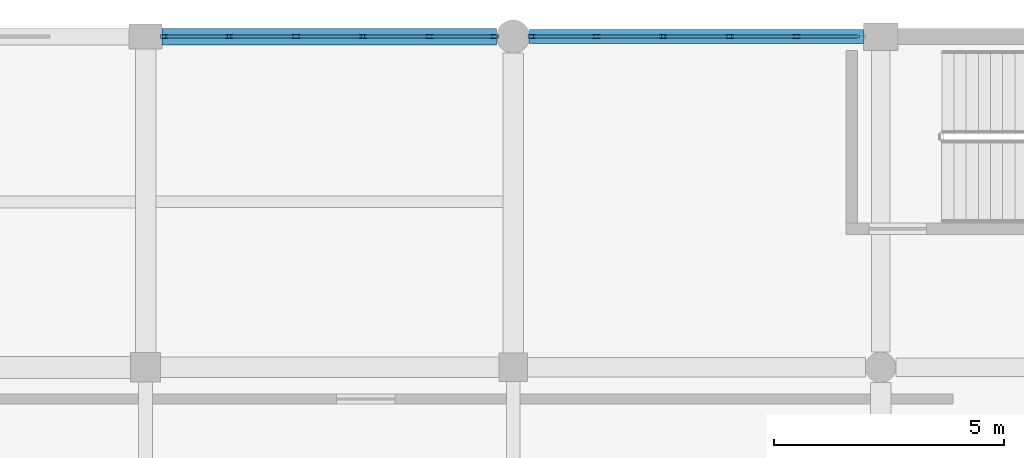
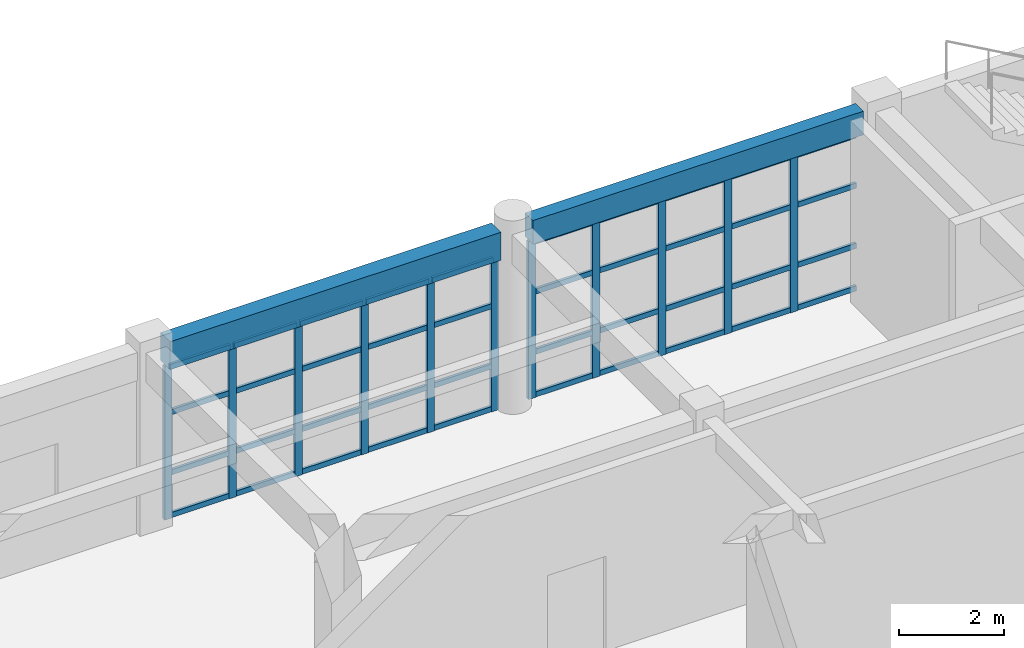
# One storey, part 102 of 160: 51 members, 2 beams, 2 elements without a shape of their own.
"""IFC4 building model written with IfcOpenShell, lengths in metres."""

import ifcopenshell
import ifcopenshell.guid

model = None  # the IFC model being written
_history = None  # IfcOwnerHistory: only IFC2X3 demands one
_inside = {}  # id of a spatial element -> (the spatial element, [elements in it])
_under = {}  # id of a project, library or spatial element -> (it, [spatial elements below it])
_declared = {}  # id of a project -> (the project, [libraries it declares])
_typed = {}  # id of a type object -> (the type object, [elements of that type])
_made_of = {}  # id of a material, layer set ... -> (it, [elements and type objects made of it])


def new_model(schema):
    """Start an empty IFC model of exactly this schema.

    Asked for "IFC4X3", IfcOpenShell would pick the latest addendum, in which some entities
    have other attributes; the version numbers below select the first issue.
    IFC2X3 requires an IfcOwnerHistory on every rooted entity: one is made here for all.
    """
    global model, _history
    if schema == "IFC4X3":
        model = ifcopenshell.file(schema_version=(4, 3, 0, 0))
    else:
        model = ifcopenshell.file(schema=schema)
    _inside.clear()
    _under.clear()
    _declared.clear()
    _typed.clear()
    _made_of.clear()
    _history = None
    if model.schema == "IFC2X3":
        org = make("IfcOrganization", Name="unknown")
        user = make(
            "IfcPersonAndOrganization",
            ThePerson=make("IfcPerson", FamilyName="unknown"),
            TheOrganization=org,
        )
        app = make(
            "IfcApplication",
            ApplicationDeveloper=org,
            Version="unknown",
            ApplicationFullName="unknown",
            ApplicationIdentifier="unknown",
        )
        _history = make(
            "IfcOwnerHistory",
            OwningUser=user,
            OwningApplication=app,
            ChangeAction="ADDED",
            CreationDate=0,
        )
    return model


def make(cls, **values):
    """One entity of the class cls with the attributes given. An attribute that is None is left unset."""
    return model.create_entity(
        cls, **{name: value for name, value in values.items() if value is not None}
    )


def rooted(cls, **values):
    """An entity with a GlobalId (a new one), such as an element, a storey or a relation."""
    return make(cls, GlobalId=ifcopenshell.guid.new(), OwnerHistory=_history, **values)


def si_unit(unit_type, name, prefix=None):
    """IfcSIUnit, for example si_unit("LENGTHUNIT", "METRE", prefix="MILLI")."""
    return make("IfcSIUnit", UnitType=unit_type, Prefix=prefix, Name=name)


def assignment(units):
    """IfcUnitAssignment: the units of a project."""
    return None if units is None else make("IfcUnitAssignment", Units=units)


def point(xyz):
    """IfcCartesianPoint."""
    return None if xyz is None else make("IfcCartesianPoint", Coordinates=xyz)


def direction(xyz):
    """IfcDirection."""
    return None if xyz is None else make("IfcDirection", DirectionRatios=xyz)


def frame(location, z_axis=None, x_axis=None):
    """IfcAxis2Placement3D, a coordinate frame: its origin and axes. An axis left out is left unset."""
    return make(
        "IfcAxis2Placement3D",
        Location=point(location),
        Axis=direction(z_axis),
        RefDirection=direction(x_axis),
    )


def frame_2d(location, x_axis=None):
    """IfcAxis2Placement2D, a coordinate frame in the plane: its origin and x axis."""
    return make(
        "IfcAxis2Placement2D", Location=point(location), RefDirection=direction(x_axis)
    )


def origin():
    """The frame at (0, 0, 0) with its axes left unset."""
    return frame((0.0, 0.0, 0.0))


def origin_2d():
    """The frame at (0, 0) in the plane with its x axis left unset."""
    return frame_2d((0.0, 0.0))


def place(relative_to, where):
    """IfcLocalPlacement: puts the frame where relative to a parent placement (None: the world)."""
    return make(
        "IfcLocalPlacement", PlacementRelTo=relative_to, RelativePlacement=where
    )


def context(
    kind, dimensions, precision=None, world=None, true_north=None, identifier=None
):
    """IfcGeometricRepresentationContext, for example the 3D "Model" context."""
    return make(
        "IfcGeometricRepresentationContext",
        ContextIdentifier=identifier,
        ContextType=kind,
        CoordinateSpaceDimension=dimensions,
        Precision=precision,
        WorldCoordinateSystem=world,
        TrueNorth=true_north,
    )


def subcontext(parent, identifier, kind, view, scale=None):
    """IfcGeometricRepresentationSubContext, for example "Body" below "Model"."""
    return make(
        "IfcGeometricRepresentationSubContext",
        ContextIdentifier=identifier,
        ContextType=kind,
        ParentContext=parent,
        TargetScale=scale,
        TargetView=view,
    )


def project(units=None, contexts=None):
    """IfcProject with its units and contexts."""
    return rooted(
        "IfcProject",
        Name="project",
        RepresentationContexts=contexts,
        UnitsInContext=assignment(units),
    )


def spatial(cls, under=None, at=None, **own):
    """A site, building, storey or space (cls), placed at a placement, below another one or the project."""
    s = rooted(cls, ObjectPlacement=at, **own)
    if under is not None:
        _under.setdefault(under.id(), (under, []))[1].append(s)
    return s


def profile(cls, at=None, kind="AREA", **sizes):
    """A parametric profile (cls). Its sizes go by their IFC names, for example OverallWidth=200.0."""
    return make(cls, ProfileType=kind, Position=at, **sizes)


def rectangle(**sizes):
    """IfcRectangleProfileDef."""
    return profile("IfcRectangleProfileDef", **sizes)


def hollow_rectangle(**sizes):
    """IfcRectangleHollowProfileDef."""
    return profile("IfcRectangleHollowProfileDef", **sizes)


def extrude(swept, where, along, depth):
    """IfcExtrudedAreaSolid: the profile swept, set in the frame where, extruded along a direction by depth."""
    return make(
        "IfcExtrudedAreaSolid",
        SweptArea=swept,
        Position=where,
        ExtrudedDirection=direction(along),
        Depth=depth,
    )


def shape(context_of_items, identifier, shape_type, items):
    """IfcShapeRepresentation: the items that make up one representation, for example the "Body"."""
    return make(
        "IfcShapeRepresentation",
        ContextOfItems=context_of_items,
        RepresentationIdentifier=identifier,
        RepresentationType=shape_type,
        Items=items,
    )


def material(Name=None, Category=None):
    """IfcMaterial."""
    return make("IfcMaterial", Name=Name, Category=Category)


def material_profile(
    of_material, cross_section, Name=None, Category=None, Priority=None
):
    """IfcMaterialProfile: a cross section and its material."""
    return make(
        "IfcMaterialProfile",
        Name=Name,
        Material=of_material,
        Profile=cross_section,
        Priority=Priority,
        Category=Category,
    )


def profile_set(profiles, Name=None, composite=None):
    """IfcMaterialProfileSet."""
    return make(
        "IfcMaterialProfileSet",
        Name=Name,
        MaterialProfiles=profiles,
        CompositeProfile=composite,
    )


def made_of(thing, what):
    """Note that an element or type object is made of a material, layer set ...; save() writes the relation."""
    if what is not None:
        _made_of.setdefault(what.id(), (what, []))[1].append(thing)
    return thing


def type_object(cls, material=None, **own):
    """A type object (cls), such as IfcWallType, which elements share."""
    return made_of(rooted(cls, **own), material)


def element(
    cls,
    number,
    at=None,
    inside=None,
    cuts=None,
    type_object=None,
    material=None,
    context=None,
    identifier="Body",
    shape_type=None,
    held_by="IfcProductDefinitionShape",
    body=None,
    shapes=None,
    **own,
):
    """One element of the class cls, such as IfcWall. Its Tag is "e" and its number.

    at: its placement. inside: the storey or other place that contains it. cuts: it is an
    opening in that element (IfcRelVoidsElement). A single representation is given by context,
    identifier, shape_type and body (its items); several are given by shapes. held_by: the class
    of the entity that holds the representations. save() writes the other relations.
    """
    e = rooted(cls, Tag="e%d" % number, ObjectPlacement=at, **own)
    if body is not None:
        shapes = [shape(context, identifier, shape_type, body)]
    if shapes is not None:
        e.Representation = make(held_by, Representations=shapes)
    if inside is not None:
        _inside.setdefault(inside.id(), (inside, []))[1].append(e)
    if cuts is not None:
        rooted(
            "IfcRelVoidsElement", RelatingBuildingElement=cuts, RelatedOpeningElement=e
        )
    if type_object is not None:
        _typed.setdefault(type_object.id(), (type_object, []))[1].append(e)
    return made_of(e, material)


def aggregate(whole, parts):
    """IfcRelAggregates: a whole, such as a stair, and the parts it consists of."""
    return rooted("IfcRelAggregates", RelatingObject=whole, RelatedObjects=parts)


def save(model, path):
    """Write the relations noted so far, then the file.

    IfcRelAggregates (storeys below a building ...), IfcRelContainedInSpatialStructure (elements
    in a storey), IfcRelDefinesByType, IfcRelAssociatesMaterial and IfcRelDeclares: one each for
    every whole, place, type object, material and project.
    """
    for whole, parts in _under.values():
        aggregate(whole, parts)
    for where, things in _inside.values():
        rooted(
            "IfcRelContainedInSpatialStructure",
            RelatedElements=things,
            RelatingStructure=where,
        )
    for kind, things in _typed.values():
        rooted("IfcRelDefinesByType", RelatedObjects=things, RelatingType=kind)
    for what, things in _made_of.values():
        rooted("IfcRelAssociatesMaterial", RelatedObjects=things, RelatingMaterial=what)
    for by, libraries in _declared.values():
        rooted("IfcRelDeclares", RelatingContext=by, RelatedDefinitions=libraries)
    model.write(path)


model = new_model("IFC4")

# Units and contexts
model_context = context("Model", 3, precision=1e-05, world=origin(), true_north=direction((0.0, 1.0)))
body_context = subcontext(model_context, "Body", "Model", "MODEL_VIEW")
ifc_project = project(units=[si_unit("LENGTHUNIT", "METRE"), si_unit("AREAUNIT", "SQUARE_METRE"), si_unit("VOLUMEUNIT", "CUBIC_METRE"), si_unit("PLANEANGLEUNIT", "RADIAN"), si_unit("MASSUNIT", "GRAM", prefix="KILO")], contexts=[model_context])

# Site, building, storey
site_placement = place(None, origin())
site = spatial("IfcSite", under=ifc_project, at=site_placement, CompositionType="ELEMENT")
building_placement = place(site_placement, origin())
building = spatial("IfcBuilding", under=site, at=building_placement, Name="Kharva Crest Polytechnic", CompositionType="ELEMENT")
storey_placement = place(building_placement, frame((0.0, 0.0, 4.5)))
storey = spatial("IfcBuildingStorey", under=building, at=storey_placement, Name="L01", CompositionType="ELEMENT", Elevation=4.5)

# Curtain wall, members
ifc_material_1 = material(Name="Tempered insulated glass", Category="glass")
curtain_wall_type = type_object("IfcCurtainWallType", Name="CW-SYS-COURT", PredefinedType="USERDEFINED", material=ifc_material_1)
curtain_wall_1_placement = place(storey_placement, origin())
curtain_wall_1 = element("IfcCurtainWall", 1, at=curtain_wall_1_placement, inside=storey, type_object=curtain_wall_type, Name="L01 Glazed Curtain Wall CW-071", ObjectType="CURTAIN WALL", PredefinedType="USERDEFINED")
ifc_material_2 = material(Name="Steel S355", Category="steel")
ifc_material_profile_1 = material_profile(ifc_material_2, hollow_rectangle(XDim=0.080078125, YDim=0.159912109375, WallThickness=0.0048828125, at=origin_2d()), Name="RHS 160X80X5.0")
ifc_profile_set_1 = profile_set([ifc_material_profile_1], Name="Steel S355")
member_type_1 = type_object("IfcMemberType", Name="CWM-RHS160X80", PredefinedType="MULLION", material=ifc_profile_set_1)
member_1_placement = place(storey_placement, frame((142.968994140625, 122.0, 0.0), z_axis=(0.0, 0.0, 1.0), x_axis=(0.0, -1.0, 0.0)))
member_1 = element("IfcMember", 2, at=member_1_placement, type_object=member_type_1, Name="CW-071 mullion 2", PredefinedType="MULLION", context=body_context, shape_type="SweptSolid", body=[
    extrude(hollow_rectangle(XDim=0.080078125, YDim=0.159912109375, WallThickness=0.0048828125, at=origin_2d()), origin(), (0.0, 0.0, 1.0), 3.669921875),
])
member_2_placement = place(storey_placement, frame((141.51806640625, 122.0, 0.0), z_axis=(0.0, 0.0, 1.0), x_axis=(0.0, -1.0, 0.0)))
member_2 = element("IfcMember", 3, at=member_2_placement, type_object=member_type_1, Name="CW-071 mullion 3", PredefinedType="MULLION", context=body_context, shape_type="SweptSolid", body=[
    extrude(hollow_rectangle(XDim=0.080078125, YDim=0.159912109375, WallThickness=0.0048828125, at=origin_2d()), origin(), (0.0, 0.0, 1.0), 3.669921875),
])
member_3_placement = place(storey_placement, frame((140.06689453125, 122.0, 0.0), z_axis=(0.0, 0.0, 1.0), x_axis=(0.0, -1.0, 0.0)))
member_3 = element("IfcMember", 4, at=member_3_placement, type_object=member_type_1, Name="CW-071 mullion 4", PredefinedType="MULLION", context=body_context, shape_type="SweptSolid", body=[
    extrude(hollow_rectangle(XDim=0.080078125, YDim=0.159912109375, WallThickness=0.0048828125, at=origin_2d()), origin(), (0.0, 0.0, 1.0), 3.669921875),
])
member_4_placement = place(storey_placement, frame((138.615966796875, 122.0, 0.0), z_axis=(0.0, 0.0, 1.0), x_axis=(0.0, -1.0, 0.0)))
member_4 = element("IfcMember", 5, at=member_4_placement, type_object=member_type_1, Name="CW-071 mullion 5", PredefinedType="MULLION", context=body_context, shape_type="SweptSolid", body=[
    extrude(hollow_rectangle(XDim=0.080078125, YDim=0.159912109375, WallThickness=0.0048828125, at=origin_2d()), origin(), (0.0, 0.0, 1.0), 3.669921875),
])
member_5_placement = place(storey_placement, frame((137.205078125, 122.0, 0.0), z_axis=(0.0, 0.0, 1.0), x_axis=(0.0, -1.0, 0.0)))
member_5 = element("IfcMember", 6, at=member_5_placement, type_object=member_type_1, Name="CW-071 mullion 6", PredefinedType="MULLION", context=body_context, shape_type="SweptSolid", body=[
    extrude(hollow_rectangle(XDim=0.080078125, YDim=0.159912109375, WallThickness=0.0048828125, at=origin_2d()), origin(), (0.0, 0.0, 1.0), 3.669921875),
])

curtain_wall_2_placement = place(storey_placement, origin())
curtain_wall_2 = element("IfcCurtainWall", 7, at=curtain_wall_2_placement, inside=storey, type_object=curtain_wall_type, Name="L01 Glazed Curtain Wall CW-072", ObjectType="CURTAIN WALL", PredefinedType="USERDEFINED")
member_6_placement = place(storey_placement, frame((136.39501953125, 122.0, 0.0), z_axis=(0.0, 0.0, 1.0), x_axis=(0.0, -1.0, 0.0)))
member_6 = element("IfcMember", 8, at=member_6_placement, type_object=member_type_1, Name="CW-072 mullion 1", PredefinedType="MULLION", context=body_context, shape_type="SweptSolid", body=[
    extrude(hollow_rectangle(XDim=0.080078125, YDim=0.159912109375, WallThickness=0.0048828125, at=origin_2d()), origin(), (0.0, 0.0, 1.0), 3.570068359375),
])
member_7_placement = place(storey_placement, frame((134.98095703125, 122.0, 0.0), z_axis=(0.0, 0.0, 1.0), x_axis=(0.0, -1.0, 0.0)))
member_7 = element("IfcMember", 9, at=member_7_placement, type_object=member_type_1, Name="CW-072 mullion 2", PredefinedType="MULLION", context=body_context, shape_type="SweptSolid", body=[
    extrude(hollow_rectangle(XDim=0.080078125, YDim=0.159912109375, WallThickness=0.0048828125, at=origin_2d()), origin(), (0.0, 0.0, 1.0), 3.570068359375),
])
member_8_placement = place(storey_placement, frame((133.527099609375, 122.0, 0.0), z_axis=(0.0, 0.0, 1.0), x_axis=(0.0, -1.0, 0.0)))
member_8 = element("IfcMember", 10, at=member_8_placement, type_object=member_type_1, Name="CW-072 mullion 3", PredefinedType="MULLION", context=body_context, shape_type="SweptSolid", body=[
    extrude(hollow_rectangle(XDim=0.080078125, YDim=0.159912109375, WallThickness=0.0048828125, at=origin_2d()), origin(), (0.0, 0.0, 1.0), 3.570068359375),
])
member_9_placement = place(storey_placement, frame((132.072998046875, 122.0, 0.0), z_axis=(0.0, 0.0, 1.0), x_axis=(0.0, -1.0, 0.0)))
member_9 = element("IfcMember", 11, at=member_9_placement, type_object=member_type_1, Name="CW-072 mullion 4", PredefinedType="MULLION", context=body_context, shape_type="SweptSolid", body=[
    extrude(hollow_rectangle(XDim=0.080078125, YDim=0.159912109375, WallThickness=0.0048828125, at=origin_2d()), origin(), (0.0, 0.0, 1.0), 3.570068359375),
])
member_10_placement = place(storey_placement, frame((130.618896484375, 122.0, 0.0), z_axis=(0.0, 0.0, 1.0), x_axis=(0.0, -1.0, 0.0)))
member_10 = element("IfcMember", 12, at=member_10_placement, type_object=member_type_1, Name="CW-072 mullion 5", PredefinedType="MULLION", context=body_context, shape_type="SweptSolid", body=[
    extrude(hollow_rectangle(XDim=0.080078125, YDim=0.159912109375, WallThickness=0.0048828125, at=origin_2d()), origin(), (0.0, 0.0, 1.0), 3.570068359375),
])
member_11_placement = place(storey_placement, frame((129.205078125, 122.0, 0.0), z_axis=(0.0, 0.0, 1.0), x_axis=(0.0, -1.0, 0.0)))
member_11 = element("IfcMember", 13, at=member_11_placement, type_object=member_type_1, Name="CW-072 mullion 6", PredefinedType="MULLION", context=body_context, shape_type="SweptSolid", body=[
    extrude(hollow_rectangle(XDim=0.080078125, YDim=0.159912109375, WallThickness=0.0048828125, at=origin_2d()), origin(), (0.0, 0.0, 1.0), 3.570068359375),
])

# Member
ifc_material_profile_2 = material_profile(ifc_material_2, hollow_rectangle(XDim=0.06005859375, YDim=0.1201171875, WallThickness=0.00390625, at=origin_2d()), Name="RHS 120X60X4.0")
ifc_profile_set_2 = profile_set([ifc_material_profile_2], Name="Steel S355")
member_type_2 = type_object("IfcMemberType", Name="CWT-RHS120X60", PredefinedType="USERDEFINED", material=ifc_profile_set_2)
member_12_placement = place(storey_placement, frame((144.340087890625, 122.0, 0.06005859375), z_axis=(-1.0, 0.0, 0.0), x_axis=(0.0, -1.0, 0.0)))
member_12 = element("IfcMember", 14, at=member_12_placement, type_object=member_type_2, Name="CW-071 transom 1.1", ObjectType="TRANSOM", PredefinedType="USERDEFINED", context=body_context, shape_type="SweptSolid", body=[
    extrude(hollow_rectangle(XDim=0.06005859375, YDim=0.1201171875, WallThickness=0.00390625, at=origin_2d()), origin(), (0.0, 0.0, 1.0), 1.3310546875),
])

member_13_placement = place(storey_placement, frame((144.340087890625, 122.0, 1.050048828125), z_axis=(-1.0, 0.0, 0.0), x_axis=(0.0, -1.0, 0.0)))
member_13 = element("IfcMember", 15, at=member_13_placement, type_object=member_type_2, Name="CW-071 transom 1.2", ObjectType="TRANSOM", PredefinedType="USERDEFINED", context=body_context, shape_type="SweptSolid", body=[
    extrude(hollow_rectangle(XDim=0.06005859375, YDim=0.1201171875, WallThickness=0.00390625, at=origin_2d()), origin(), (0.0, 0.0, 1.0), 1.3310546875),
])

member_14_placement = place(storey_placement, frame((144.340087890625, 122.0, 2.449951171875), z_axis=(-1.0, 0.0, 0.0), x_axis=(0.0, -1.0, 0.0)))
member_14 = element("IfcMember", 16, at=member_14_placement, type_object=member_type_2, Name="CW-071 transom 1.3", ObjectType="TRANSOM", PredefinedType="USERDEFINED", context=body_context, shape_type="SweptSolid", body=[
    extrude(hollow_rectangle(XDim=0.06005859375, YDim=0.1201171875, WallThickness=0.00390625, at=origin_2d()), origin(), (0.0, 0.0, 1.0), 1.3310546875),
])

member_15_placement = place(storey_placement, frame((144.340087890625, 122.0, 3.610107421875), z_axis=(-1.0, 0.0, 0.0), x_axis=(0.0, -1.0, 0.0)))
member_15 = element("IfcMember", 17, at=member_15_placement, type_object=member_type_2, Name="CW-071 transom 1.4", ObjectType="TRANSOM", PredefinedType="USERDEFINED", context=body_context, shape_type="SweptSolid", body=[
    extrude(hollow_rectangle(XDim=0.06005859375, YDim=0.1201171875, WallThickness=0.00390625, at=origin_2d()), origin(), (0.0, 0.0, 1.0), 1.3310546875),
])

member_16_placement = place(storey_placement, frame((142.928955078125, 122.0, 0.06005859375), z_axis=(-1.0, 0.0, 0.0), x_axis=(0.0, -1.0, 0.0)))
member_16 = element("IfcMember", 18, at=member_16_placement, type_object=member_type_2, Name="CW-071 transom 2.1", ObjectType="TRANSOM", PredefinedType="USERDEFINED", context=body_context, shape_type="SweptSolid", body=[
    extrude(hollow_rectangle(XDim=0.06005859375, YDim=0.1201171875, WallThickness=0.00390625, at=origin_2d()), origin(), (0.0, 0.0, 1.0), 1.370849609375),
])

member_17_placement = place(storey_placement, frame((142.928955078125, 122.0, 1.050048828125), z_axis=(-1.0, 0.0, 0.0), x_axis=(0.0, -1.0, 0.0)))
member_17 = element("IfcMember", 19, at=member_17_placement, type_object=member_type_2, Name="CW-071 transom 2.2", ObjectType="TRANSOM", PredefinedType="USERDEFINED", context=body_context, shape_type="SweptSolid", body=[
    extrude(hollow_rectangle(XDim=0.06005859375, YDim=0.1201171875, WallThickness=0.00390625, at=origin_2d()), origin(), (0.0, 0.0, 1.0), 1.370849609375),
])

member_18_placement = place(storey_placement, frame((142.928955078125, 122.0, 2.449951171875), z_axis=(-1.0, 0.0, 0.0), x_axis=(0.0, -1.0, 0.0)))
member_18 = element("IfcMember", 20, at=member_18_placement, type_object=member_type_2, Name="CW-071 transom 2.3", ObjectType="TRANSOM", PredefinedType="USERDEFINED", context=body_context, shape_type="SweptSolid", body=[
    extrude(hollow_rectangle(XDim=0.06005859375, YDim=0.1201171875, WallThickness=0.00390625, at=origin_2d()), origin(), (0.0, 0.0, 1.0), 1.370849609375),
])

member_19_placement = place(storey_placement, frame((142.928955078125, 122.0, 3.610107421875), z_axis=(-1.0, 0.0, 0.0), x_axis=(0.0, -1.0, 0.0)))
member_19 = element("IfcMember", 21, at=member_19_placement, type_object=member_type_2, Name="CW-071 transom 2.4", ObjectType="TRANSOM", PredefinedType="USERDEFINED", context=body_context, shape_type="SweptSolid", body=[
    extrude(hollow_rectangle(XDim=0.06005859375, YDim=0.1201171875, WallThickness=0.00390625, at=origin_2d()), origin(), (0.0, 0.0, 1.0), 1.370849609375),
])

member_20_placement = place(storey_placement, frame((141.47802734375, 122.0, 0.06005859375), z_axis=(-1.0, 0.0, 0.0), x_axis=(0.0, -1.0, 0.0)))
member_20 = element("IfcMember", 22, at=member_20_placement, type_object=member_type_2, Name="CW-071 transom 3.1", ObjectType="TRANSOM", PredefinedType="USERDEFINED", context=body_context, shape_type="SweptSolid", body=[
    extrude(hollow_rectangle(XDim=0.06005859375, YDim=0.1201171875, WallThickness=0.00390625, at=origin_2d()), origin(), (0.0, 0.0, 1.0), 1.37109375),
])

member_21_placement = place(storey_placement, frame((141.47802734375, 122.0, 1.050048828125), z_axis=(-1.0, 0.0, 0.0), x_axis=(0.0, -1.0, 0.0)))
member_21 = element("IfcMember", 23, at=member_21_placement, type_object=member_type_2, Name="CW-071 transom 3.2", ObjectType="TRANSOM", PredefinedType="USERDEFINED", context=body_context, shape_type="SweptSolid", body=[
    extrude(hollow_rectangle(XDim=0.06005859375, YDim=0.1201171875, WallThickness=0.00390625, at=origin_2d()), origin(), (0.0, 0.0, 1.0), 1.37109375),
])

member_22_placement = place(storey_placement, frame((141.47802734375, 122.0, 2.449951171875), z_axis=(-1.0, 0.0, 0.0), x_axis=(0.0, -1.0, 0.0)))
member_22 = element("IfcMember", 24, at=member_22_placement, type_object=member_type_2, Name="CW-071 transom 3.3", ObjectType="TRANSOM", PredefinedType="USERDEFINED", context=body_context, shape_type="SweptSolid", body=[
    extrude(hollow_rectangle(XDim=0.06005859375, YDim=0.1201171875, WallThickness=0.00390625, at=origin_2d()), origin(), (0.0, 0.0, 1.0), 1.37109375),
])

member_23_placement = place(storey_placement, frame((141.47802734375, 122.0, 3.610107421875), z_axis=(-1.0, 0.0, 0.0), x_axis=(0.0, -1.0, 0.0)))
member_23 = element("IfcMember", 25, at=member_23_placement, type_object=member_type_2, Name="CW-071 transom 3.4", ObjectType="TRANSOM", PredefinedType="USERDEFINED", context=body_context, shape_type="SweptSolid", body=[
    extrude(hollow_rectangle(XDim=0.06005859375, YDim=0.1201171875, WallThickness=0.00390625, at=origin_2d()), origin(), (0.0, 0.0, 1.0), 1.37109375),
])

member_24_placement = place(storey_placement, frame((140.027099609375, 122.0, 0.06005859375), z_axis=(-1.0, 0.0, 0.0), x_axis=(0.0, -1.0, 0.0)))
member_24 = element("IfcMember", 26, at=member_24_placement, type_object=member_type_2, Name="CW-071 transom 4.1", ObjectType="TRANSOM", PredefinedType="USERDEFINED", context=body_context, shape_type="SweptSolid", body=[
    extrude(hollow_rectangle(XDim=0.06005859375, YDim=0.1201171875, WallThickness=0.00390625, at=origin_2d()), origin(), (0.0, 0.0, 1.0), 1.37109375),
])

member_25_placement = place(storey_placement, frame((140.027099609375, 122.0, 1.050048828125), z_axis=(-1.0, 0.0, 0.0), x_axis=(0.0, -1.0, 0.0)))
member_25 = element("IfcMember", 27, at=member_25_placement, type_object=member_type_2, Name="CW-071 transom 4.2", ObjectType="TRANSOM", PredefinedType="USERDEFINED", context=body_context, shape_type="SweptSolid", body=[
    extrude(hollow_rectangle(XDim=0.06005859375, YDim=0.1201171875, WallThickness=0.00390625, at=origin_2d()), origin(), (0.0, 0.0, 1.0), 1.37109375),
])

member_26_placement = place(storey_placement, frame((140.027099609375, 122.0, 2.449951171875), z_axis=(-1.0, 0.0, 0.0), x_axis=(0.0, -1.0, 0.0)))
member_26 = element("IfcMember", 28, at=member_26_placement, type_object=member_type_2, Name="CW-071 transom 4.3", ObjectType="TRANSOM", PredefinedType="USERDEFINED", context=body_context, shape_type="SweptSolid", body=[
    extrude(hollow_rectangle(XDim=0.06005859375, YDim=0.1201171875, WallThickness=0.00390625, at=origin_2d()), origin(), (0.0, 0.0, 1.0), 1.37109375),
])

member_27_placement = place(storey_placement, frame((140.027099609375, 122.0, 3.610107421875), z_axis=(-1.0, 0.0, 0.0), x_axis=(0.0, -1.0, 0.0)))
member_27 = element("IfcMember", 29, at=member_27_placement, type_object=member_type_2, Name="CW-071 transom 4.4", ObjectType="TRANSOM", PredefinedType="USERDEFINED", context=body_context, shape_type="SweptSolid", body=[
    extrude(hollow_rectangle(XDim=0.06005859375, YDim=0.1201171875, WallThickness=0.00390625, at=origin_2d()), origin(), (0.0, 0.0, 1.0), 1.37109375),
])

member_28_placement = place(storey_placement, frame((138.575927734375, 122.0, 0.06005859375), z_axis=(-1.0, 0.0, 0.0), x_axis=(0.0, -1.0, 0.0)))
member_28 = element("IfcMember", 30, at=member_28_placement, type_object=member_type_2, Name="CW-071 transom 5.1", ObjectType="TRANSOM", PredefinedType="USERDEFINED", context=body_context, shape_type="SweptSolid", body=[
    extrude(hollow_rectangle(XDim=0.06005859375, YDim=0.1201171875, WallThickness=0.00390625, at=origin_2d()), origin(), (0.0, 0.0, 1.0), 1.330810546875),
])

member_29_placement = place(storey_placement, frame((138.575927734375, 122.0, 1.050048828125), z_axis=(-1.0, 0.0, 0.0), x_axis=(0.0, -1.0, 0.0)))
member_29 = element("IfcMember", 31, at=member_29_placement, type_object=member_type_2, Name="CW-071 transom 5.2", ObjectType="TRANSOM", PredefinedType="USERDEFINED", context=body_context, shape_type="SweptSolid", body=[
    extrude(hollow_rectangle(XDim=0.06005859375, YDim=0.1201171875, WallThickness=0.00390625, at=origin_2d()), origin(), (0.0, 0.0, 1.0), 1.330810546875),
])

member_30_placement = place(storey_placement, frame((138.575927734375, 122.0, 2.449951171875), z_axis=(-1.0, 0.0, 0.0), x_axis=(0.0, -1.0, 0.0)))
member_30 = element("IfcMember", 32, at=member_30_placement, type_object=member_type_2, Name="CW-071 transom 5.3", ObjectType="TRANSOM", PredefinedType="USERDEFINED", context=body_context, shape_type="SweptSolid", body=[
    extrude(hollow_rectangle(XDim=0.06005859375, YDim=0.1201171875, WallThickness=0.00390625, at=origin_2d()), origin(), (0.0, 0.0, 1.0), 1.330810546875),
])

member_31_placement = place(storey_placement, frame((138.575927734375, 122.0, 3.610107421875), z_axis=(-1.0, 0.0, 0.0), x_axis=(0.0, -1.0, 0.0)))
member_31 = element("IfcMember", 33, at=member_31_placement, type_object=member_type_2, Name="CW-071 transom 5.4", ObjectType="TRANSOM", PredefinedType="USERDEFINED", context=body_context, shape_type="SweptSolid", body=[
    extrude(hollow_rectangle(XDim=0.06005859375, YDim=0.1201171875, WallThickness=0.00390625, at=origin_2d()), origin(), (0.0, 0.0, 1.0), 1.330810546875),
])

aggregate(curtain_wall_1, [member_1, member_2, member_3, member_4, member_5, member_12, member_13, member_14, member_15, member_16, member_17, member_18, member_19, member_20, member_21, member_22, member_23, member_24, member_25, member_26, member_27, member_28, member_29, member_30, member_31])

member_32_placement = place(storey_placement, frame((136.35498046875, 122.0, 0.06005859375), z_axis=(-1.0, 0.0, 0.0), x_axis=(0.0, -1.0, 0.0)))
member_32 = element("IfcMember", 34, at=member_32_placement, type_object=member_type_2, Name="CW-072 transom 1.1", ObjectType="TRANSOM", PredefinedType="USERDEFINED", context=body_context, shape_type="SweptSolid", body=[
    extrude(hollow_rectangle(XDim=0.06005859375, YDim=0.1201171875, WallThickness=0.00390625, at=origin_2d()), origin(), (0.0, 0.0, 1.0), 1.333984375),
])

member_33_placement = place(storey_placement, frame((136.35498046875, 122.0, 1.050048828125), z_axis=(-1.0, 0.0, 0.0), x_axis=(0.0, -1.0, 0.0)))
member_33 = element("IfcMember", 35, at=member_33_placement, type_object=member_type_2, Name="CW-072 transom 1.2", ObjectType="TRANSOM", PredefinedType="USERDEFINED", context=body_context, shape_type="SweptSolid", body=[
    extrude(hollow_rectangle(XDim=0.06005859375, YDim=0.1201171875, WallThickness=0.00390625, at=origin_2d()), origin(), (0.0, 0.0, 1.0), 1.333984375),
])

member_34_placement = place(storey_placement, frame((136.35498046875, 122.0, 2.449951171875), z_axis=(-1.0, 0.0, 0.0), x_axis=(0.0, -1.0, 0.0)))
member_34 = element("IfcMember", 36, at=member_34_placement, type_object=member_type_2, Name="CW-072 transom 1.3", ObjectType="TRANSOM", PredefinedType="USERDEFINED", context=body_context, shape_type="SweptSolid", body=[
    extrude(hollow_rectangle(XDim=0.06005859375, YDim=0.1201171875, WallThickness=0.00390625, at=origin_2d()), origin(), (0.0, 0.0, 1.0), 1.333984375),
])

member_35_placement = place(storey_placement, frame((136.35498046875, 122.0, 3.510009765625), z_axis=(-1.0, 0.0, 0.0), x_axis=(0.0, -1.0, 0.0)))
member_35 = element("IfcMember", 37, at=member_35_placement, type_object=member_type_2, Name="CW-072 transom 1.4", ObjectType="TRANSOM", PredefinedType="USERDEFINED", context=body_context, shape_type="SweptSolid", body=[
    extrude(hollow_rectangle(XDim=0.06005859375, YDim=0.1201171875, WallThickness=0.00390625, at=origin_2d()), origin(), (0.0, 0.0, 1.0), 1.333984375),
])

member_36_placement = place(storey_placement, frame((134.94091796875, 122.0, 0.06005859375), z_axis=(-1.0, 0.0, 0.0), x_axis=(0.0, -1.0, 0.0)))
member_36 = element("IfcMember", 38, at=member_36_placement, type_object=member_type_2, Name="CW-072 transom 2.1", ObjectType="TRANSOM", PredefinedType="USERDEFINED", context=body_context, shape_type="SweptSolid", body=[
    extrude(hollow_rectangle(XDim=0.06005859375, YDim=0.1201171875, WallThickness=0.00390625, at=origin_2d()), origin(), (0.0, 0.0, 1.0), 1.3740234375),
])

member_37_placement = place(storey_placement, frame((134.94091796875, 122.0, 1.050048828125), z_axis=(-1.0, 0.0, 0.0), x_axis=(0.0, -1.0, 0.0)))
member_37 = element("IfcMember", 39, at=member_37_placement, type_object=member_type_2, Name="CW-072 transom 2.2", ObjectType="TRANSOM", PredefinedType="USERDEFINED", context=body_context, shape_type="SweptSolid", body=[
    extrude(hollow_rectangle(XDim=0.06005859375, YDim=0.1201171875, WallThickness=0.00390625, at=origin_2d()), origin(), (0.0, 0.0, 1.0), 1.3740234375),
])

member_38_placement = place(storey_placement, frame((134.94091796875, 122.0, 2.449951171875), z_axis=(-1.0, 0.0, 0.0), x_axis=(0.0, -1.0, 0.0)))
member_38 = element("IfcMember", 40, at=member_38_placement, type_object=member_type_2, Name="CW-072 transom 2.3", ObjectType="TRANSOM", PredefinedType="USERDEFINED", context=body_context, shape_type="SweptSolid", body=[
    extrude(hollow_rectangle(XDim=0.06005859375, YDim=0.1201171875, WallThickness=0.00390625, at=origin_2d()), origin(), (0.0, 0.0, 1.0), 1.3740234375),
])

member_39_placement = place(storey_placement, frame((134.94091796875, 122.0, 3.510009765625), z_axis=(-1.0, 0.0, 0.0), x_axis=(0.0, -1.0, 0.0)))
member_39 = element("IfcMember", 41, at=member_39_placement, type_object=member_type_2, Name="CW-072 transom 2.4", ObjectType="TRANSOM", PredefinedType="USERDEFINED", context=body_context, shape_type="SweptSolid", body=[
    extrude(hollow_rectangle(XDim=0.06005859375, YDim=0.1201171875, WallThickness=0.00390625, at=origin_2d()), origin(), (0.0, 0.0, 1.0), 1.3740234375),
])

member_40_placement = place(storey_placement, frame((133.487060546875, 122.0, 0.06005859375), z_axis=(-1.0, 0.0, 0.0), x_axis=(0.0, -1.0, 0.0)))
member_40 = element("IfcMember", 42, at=member_40_placement, type_object=member_type_2, Name="CW-072 transom 3.1", ObjectType="TRANSOM", PredefinedType="USERDEFINED", context=body_context, shape_type="SweptSolid", body=[
    extrude(hollow_rectangle(XDim=0.06005859375, YDim=0.1201171875, WallThickness=0.00390625, at=origin_2d()), origin(), (0.0, 0.0, 1.0), 1.3740234375),
])

member_41_placement = place(storey_placement, frame((133.487060546875, 122.0, 1.050048828125), z_axis=(-1.0, 0.0, 0.0), x_axis=(0.0, -1.0, 0.0)))
member_41 = element("IfcMember", 43, at=member_41_placement, type_object=member_type_2, Name="CW-072 transom 3.2", ObjectType="TRANSOM", PredefinedType="USERDEFINED", context=body_context, shape_type="SweptSolid", body=[
    extrude(hollow_rectangle(XDim=0.06005859375, YDim=0.1201171875, WallThickness=0.00390625, at=origin_2d()), origin(), (0.0, 0.0, 1.0), 1.3740234375),
])

member_42_placement = place(storey_placement, frame((133.487060546875, 122.0, 2.449951171875), z_axis=(-1.0, 0.0, 0.0), x_axis=(0.0, -1.0, 0.0)))
member_42 = element("IfcMember", 44, at=member_42_placement, type_object=member_type_2, Name="CW-072 transom 3.3", ObjectType="TRANSOM", PredefinedType="USERDEFINED", context=body_context, shape_type="SweptSolid", body=[
    extrude(hollow_rectangle(XDim=0.06005859375, YDim=0.1201171875, WallThickness=0.00390625, at=origin_2d()), origin(), (0.0, 0.0, 1.0), 1.3740234375),
])

member_43_placement = place(storey_placement, frame((133.487060546875, 122.0, 3.510009765625), z_axis=(-1.0, 0.0, 0.0), x_axis=(0.0, -1.0, 0.0)))
member_43 = element("IfcMember", 45, at=member_43_placement, type_object=member_type_2, Name="CW-072 transom 3.4", ObjectType="TRANSOM", PredefinedType="USERDEFINED", context=body_context, shape_type="SweptSolid", body=[
    extrude(hollow_rectangle(XDim=0.06005859375, YDim=0.1201171875, WallThickness=0.00390625, at=origin_2d()), origin(), (0.0, 0.0, 1.0), 1.3740234375),
])

member_44_placement = place(storey_placement, frame((132.032958984375, 122.0, 0.06005859375), z_axis=(-1.0, 0.0, 0.0), x_axis=(0.0, -1.0, 0.0)))
member_44 = element("IfcMember", 46, at=member_44_placement, type_object=member_type_2, Name="CW-072 transom 4.1", ObjectType="TRANSOM", PredefinedType="USERDEFINED", context=body_context, shape_type="SweptSolid", body=[
    extrude(hollow_rectangle(XDim=0.06005859375, YDim=0.1201171875, WallThickness=0.00390625, at=origin_2d()), origin(), (0.0, 0.0, 1.0), 1.3740234375),
])

member_45_placement = place(storey_placement, frame((132.032958984375, 122.0, 1.050048828125), z_axis=(-1.0, 0.0, 0.0), x_axis=(0.0, -1.0, 0.0)))
member_45 = element("IfcMember", 47, at=member_45_placement, type_object=member_type_2, Name="CW-072 transom 4.2", ObjectType="TRANSOM", PredefinedType="USERDEFINED", context=body_context, shape_type="SweptSolid", body=[
    extrude(hollow_rectangle(XDim=0.06005859375, YDim=0.1201171875, WallThickness=0.00390625, at=origin_2d()), origin(), (0.0, 0.0, 1.0), 1.3740234375),
])

member_46_placement = place(storey_placement, frame((132.032958984375, 122.0, 2.449951171875), z_axis=(-1.0, 0.0, 0.0), x_axis=(0.0, -1.0, 0.0)))
member_46 = element("IfcMember", 48, at=member_46_placement, type_object=member_type_2, Name="CW-072 transom 4.3", ObjectType="TRANSOM", PredefinedType="USERDEFINED", context=body_context, shape_type="SweptSolid", body=[
    extrude(hollow_rectangle(XDim=0.06005859375, YDim=0.1201171875, WallThickness=0.00390625, at=origin_2d()), origin(), (0.0, 0.0, 1.0), 1.3740234375),
])

member_47_placement = place(storey_placement, frame((132.032958984375, 122.0, 3.510009765625), z_axis=(-1.0, 0.0, 0.0), x_axis=(0.0, -1.0, 0.0)))
member_47 = element("IfcMember", 49, at=member_47_placement, type_object=member_type_2, Name="CW-072 transom 4.4", ObjectType="TRANSOM", PredefinedType="USERDEFINED", context=body_context, shape_type="SweptSolid", body=[
    extrude(hollow_rectangle(XDim=0.06005859375, YDim=0.1201171875, WallThickness=0.00390625, at=origin_2d()), origin(), (0.0, 0.0, 1.0), 1.3740234375),
])

member_48_placement = place(storey_placement, frame((130.5791015625, 122.0, 0.06005859375), z_axis=(-1.0, 0.0, 0.0), x_axis=(0.0, -1.0, 0.0)))
member_48 = element("IfcMember", 50, at=member_48_placement, type_object=member_type_2, Name="CW-072 transom 5.1", ObjectType="TRANSOM", PredefinedType="USERDEFINED", context=body_context, shape_type="SweptSolid", body=[
    extrude(hollow_rectangle(XDim=0.06005859375, YDim=0.1201171875, WallThickness=0.00390625, at=origin_2d()), origin(), (0.0, 0.0, 1.0), 1.333984375),
])

member_49_placement = place(storey_placement, frame((130.5791015625, 122.0, 1.050048828125), z_axis=(-1.0, 0.0, 0.0), x_axis=(0.0, -1.0, 0.0)))
member_49 = element("IfcMember", 51, at=member_49_placement, type_object=member_type_2, Name="CW-072 transom 5.2", ObjectType="TRANSOM", PredefinedType="USERDEFINED", context=body_context, shape_type="SweptSolid", body=[
    extrude(hollow_rectangle(XDim=0.06005859375, YDim=0.1201171875, WallThickness=0.00390625, at=origin_2d()), origin(), (0.0, 0.0, 1.0), 1.333984375),
])

member_50_placement = place(storey_placement, frame((130.5791015625, 122.0, 2.449951171875), z_axis=(-1.0, 0.0, 0.0), x_axis=(0.0, -1.0, 0.0)))
member_50 = element("IfcMember", 52, at=member_50_placement, type_object=member_type_2, Name="CW-072 transom 5.3", ObjectType="TRANSOM", PredefinedType="USERDEFINED", context=body_context, shape_type="SweptSolid", body=[
    extrude(hollow_rectangle(XDim=0.06005859375, YDim=0.1201171875, WallThickness=0.00390625, at=origin_2d()), origin(), (0.0, 0.0, 1.0), 1.333984375),
])

member_51_placement = place(storey_placement, frame((130.5791015625, 122.0, 3.510009765625), z_axis=(-1.0, 0.0, 0.0), x_axis=(0.0, -1.0, 0.0)))
member_51 = element("IfcMember", 53, at=member_51_placement, type_object=member_type_2, Name="CW-072 transom 5.4", ObjectType="TRANSOM", PredefinedType="USERDEFINED", context=body_context, shape_type="SweptSolid", body=[
    extrude(hollow_rectangle(XDim=0.06005859375, YDim=0.1201171875, WallThickness=0.00390625, at=origin_2d()), origin(), (0.0, 0.0, 1.0), 1.333984375),
])

aggregate(curtain_wall_2, [member_6, member_7, member_8, member_9, member_10, member_11, member_32, member_33, member_34, member_35, member_36, member_37, member_38, member_39, member_40, member_41, member_42, member_43, member_44, member_45, member_46, member_47, member_48, member_49, member_50, member_51])

# Beams
ifc_material_3 = material(Name="Concrete C35/45", Category="concrete")
ifc_material_profile_3 = material_profile(ifc_material_3, rectangle(XDim=0.300048828125, YDim=0.550048828125, at=origin_2d()), Name="RECT 300 X 550")
ifc_profile_set_3 = profile_set([ifc_material_profile_3], Name="Concrete C35/45")
beam_type_1 = type_object("IfcBeamType", Name="SP-RC-300X550", PredefinedType="SPANDREL", material=ifc_profile_set_3)
beam_1_placement = place(storey_placement, frame((137.159912109375, 122.0, 3.945068359375), z_axis=(1.0, 0.0, 0.0), x_axis=(0.0, 1.0, 0.0)))
element("IfcBeam", 54, at=beam_1_placement, inside=storey, type_object=beam_type_1, Name="L01 Beam S/18-19", PredefinedType="SPANDREL", context=body_context, shape_type="SweptSolid", body=[
    extrude(rectangle(XDim=0.300048828125, YDim=0.550048828125, at=origin_2d()), origin(), (0.0, 0.0, 1.0), 7.26513671875),
])
ifc_material_profile_4 = material_profile(ifc_material_3, rectangle(XDim=0.360107421875, YDim=0.64990234375, at=origin_2d()), Name="RECT 360 X 650")
ifc_profile_set_4 = profile_set([ifc_material_profile_4], Name="Concrete C35/45")
beam_type_2 = type_object("IfcBeamType", Name="SP-RC-360X650", PredefinedType="SPANDREL", material=ifc_profile_set_4)
beam_2_placement = place(storey_placement, frame((129.159912109375, 122.0, 3.89501953125), z_axis=(1.0, 0.0, 0.0), x_axis=(0.0, 1.0, 0.0)))
element("IfcBeam", 55, at=beam_2_placement, inside=storey, type_object=beam_type_2, Name="L01 Beam S/17-18", PredefinedType="SPANDREL", context=body_context, shape_type="SweptSolid", body=[
    extrude(rectangle(XDim=0.360107421875, YDim=0.64990234375, at=origin_2d()), origin(), (0.0, 0.0, 1.0), 7.280029296875),
])

save(model, "model.ifc")
